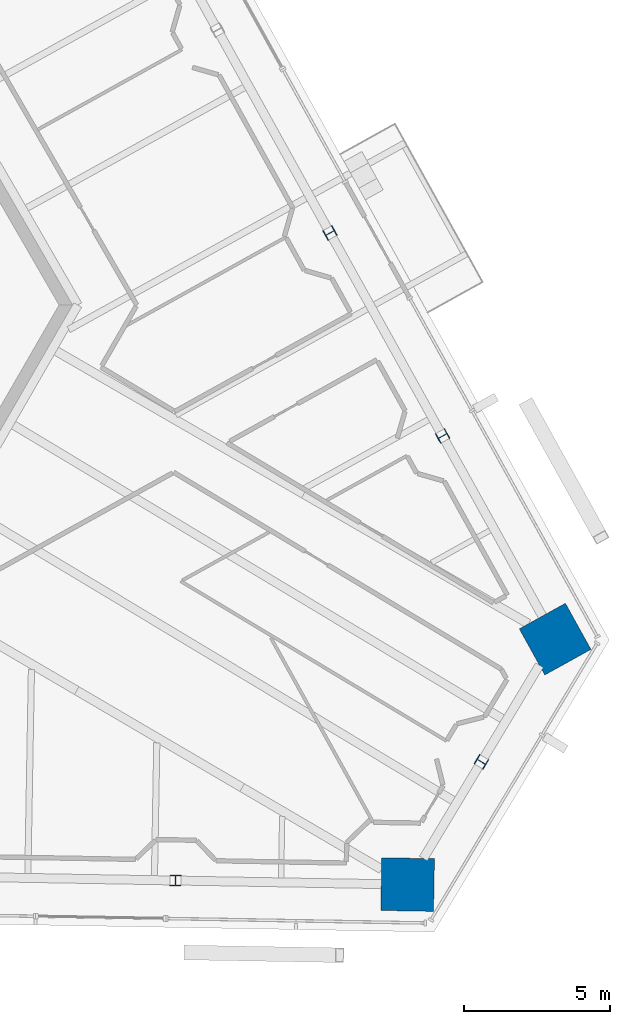
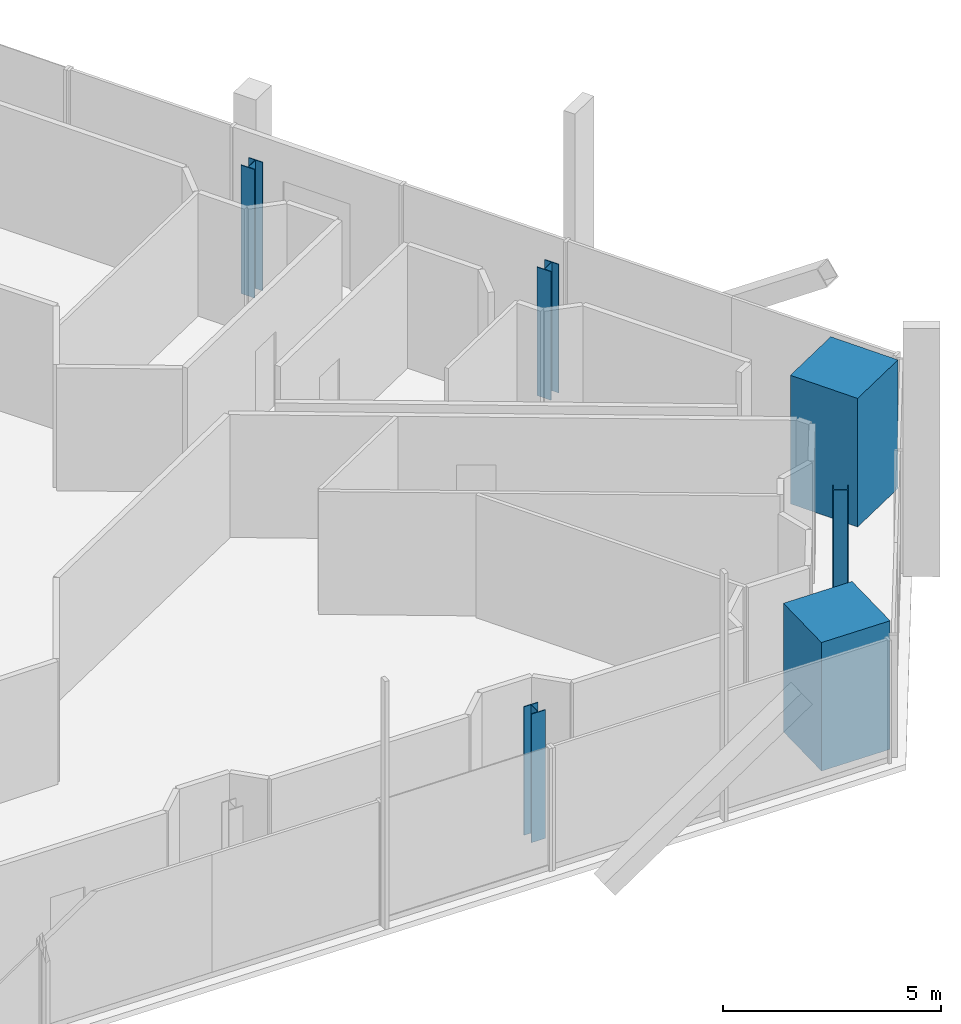
# One storey, part 2 of 22: 6 columns.
"""IFC4 building model written with IfcOpenShell, lengths in metres."""

from ifc_helpers import new_model, si_unit, direction, frame, origin, origin_2d, place, context, subcontext, project, spatial, rectangle, i_section, extrude, source, transform, mapped, material, material_profile, profile_set, type_object, element, save


model = new_model("IFC4")

# Units and contexts
model_context = context("Model", 3, precision=1e-05, world=origin(), true_north=direction((0.0, 1.0)))
body_context = subcontext(model_context, "Body", "Model", "MODEL_VIEW")
ifc_project = project(units=[si_unit("LENGTHUNIT", "METRE"), si_unit("AREAUNIT", "SQUARE_METRE"), si_unit("VOLUMEUNIT", "CUBIC_METRE"), si_unit("PLANEANGLEUNIT", "RADIAN"), si_unit("MASSUNIT", "GRAM", prefix="KILO")], contexts=[model_context])

# Site, building, storey
site_placement = place(None, origin())
site = spatial("IfcSite", under=ifc_project, at=site_placement, CompositionType="ELEMENT")
building_placement = place(site_placement, origin())
building = spatial("IfcBuilding", under=site, at=building_placement, Name="Triune Harvest Tower", CompositionType="ELEMENT")
storey_placement = place(building_placement, frame((0.0, 0.0, 208.699951171875)))
storey = spatial("IfcBuildingStorey", under=building, at=storey_placement, Name="L54", CompositionType="ELEMENT", Elevation=208.699951171875)

# Columns
ifc_material_1 = material(Name="Concrete 70 MPa", Category="concrete")
ifc_material_profile_1 = material_profile(ifc_material_1, rectangle(XDim=1.800048828125, YDim=1.800048828125, at=origin_2d()), Name="Composite 1800x1800")
ifc_profile_set_1 = profile_set([ifc_material_profile_1], Name="Concrete 70 MPa")
column_type_1 = type_object("IfcColumnType", Name="MC-5 Mega column Composite 1800x1800", PredefinedType="COLUMN", material=ifc_profile_set_1)
shared_shape_1 = source(origin(), body_context, "Body", "SweptSolid", [
    extrude(rectangle(XDim=1.800048828125, YDim=1.800048828125, at=origin_2d()), origin(), (0.0, 0.0, 1.0), 3.60009765625),
])
for number, where, z_axis, x_axis, name in (
    (1, (28.475341796875, -11.40673828125, 0.0), (0.0, 0.0, 1.0), (-0.484809620246, 0.874619707139, 0.0), "col/L54/M0"),
    (2, (23.43994140625, -19.787109375, 0.0), (0.0, 0.0, 1.0), (0.999847695156, -0.017452406437, 0.0), "col/L54/M22"),
):
    element("IfcColumn", number, at=place(storey_placement, frame(where, z_axis=z_axis, x_axis=x_axis)), inside=storey, type_object=column_type_1, Name=name, PredefinedType="COLUMN", context=body_context, shape_type="MappedRepresentation", body=[
        mapped(shared_shape_1, transform((0.0, 0.0, 0.0), scale=1.0)),
    ])
ifc_material_2 = material(Name="Steel ASTM A992 Gr 50", Category="steel")
ifc_material_profile_2 = material_profile(ifc_material_2, i_section(OverallWidth=0.370849609375, OverallDepth=0.36328125, WebThickness=0.013427734375, FlangeThickness=0.021728515625, at=origin_2d()), Name="W14x109")
ifc_profile_set_2 = profile_set([ifc_material_profile_2], Name="Steel ASTM A992 Gr 50")
column_type_2 = type_object("IfcColumnType", Name="PC-5 Perimeter column W14x109", PredefinedType="COLUMN", material=ifc_profile_set_2)
shared_shape_2 = source(origin(), body_context, "Body", "SweptSolid", [
    extrude(i_section(OverallWidth=0.370849609375, OverallDepth=0.36328125, WebThickness=0.013427734375, FlangeThickness=0.021728515625, at=origin_2d()), origin(), (0.0, 0.0, 1.0), 3.60009765625),
])
for number, where, z_axis, x_axis, name in (
    (3, (24.632080078125, -4.473388671875, 0.0), (0.0, 0.0, 1.0), (-0.484809620246, 0.874619707139, 0.0), "col/L54/P1"),
    (4, (20.788818359375, 2.459716796875, 0.0), (0.0, 0.0, 1.0), (-0.484809620246, 0.874619707139, 0.0), "col/L54/P2"),
    (5, (15.513916015625, -19.648681640625, 0.0), (0.0, 0.0, 1.0), (0.999847695156, -0.017452406437, 0.0), "col/L54/P21"),
    (6, (25.95751953125, -15.596923828125, 0.0), (0.0, 0.0, 1.0), (0.515039570948, 0.85716640179, 0.0), "col/L54/P23"),
):
    element("IfcColumn", number, at=place(storey_placement, frame(where, z_axis=z_axis, x_axis=x_axis)), inside=storey, type_object=column_type_2, Name=name, PredefinedType="COLUMN", context=body_context, shape_type="MappedRepresentation", body=[
        mapped(shared_shape_2, transform((0.0, 0.0, 0.0), scale=1.0)),
    ])

save(model, "model.ifc")
